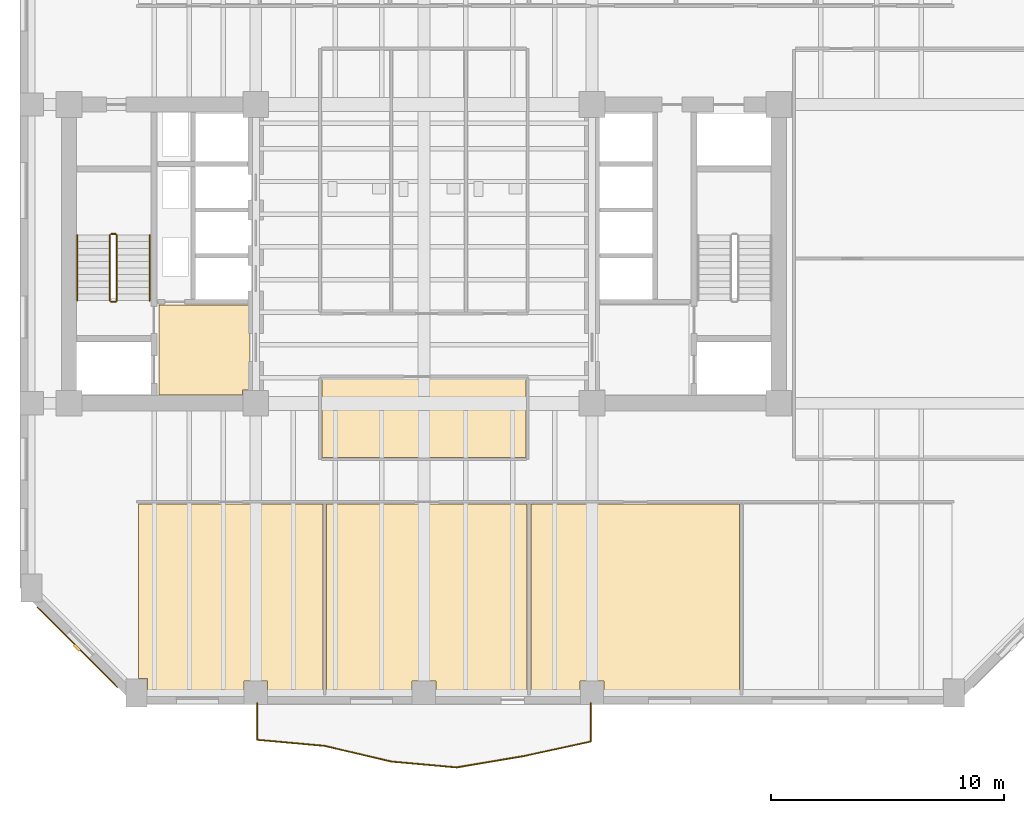
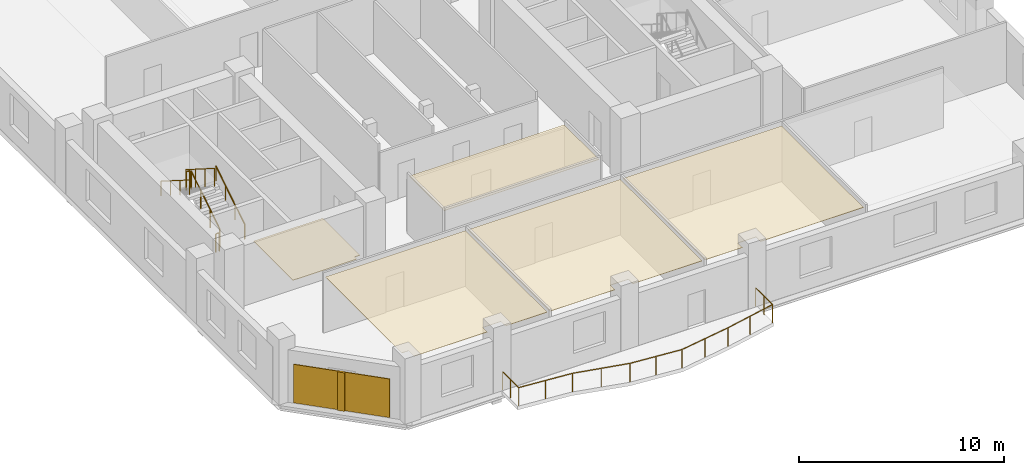
# One storey, part 6 of 9: 7 railings, 6 coverings, 1 shading device.
"""IFC4 building model written with IfcOpenShell, lengths in metres."""

from ifc_helpers import new_model, si_unit, direction, frame, origin, origin_2d, place, context, subcontext, project, spatial, polyline, rectangle, circle, outline, extrude, material, layer, layer_set, type_object, element, save


model = new_model("IFC4")

# Units and contexts
model_context = context("Model", 3, precision=1e-05, world=origin(), true_north=direction((0.0, 1.0)))
body_context = subcontext(model_context, "Body", "Model", "MODEL_VIEW")
ifc_project = project(units=[si_unit("LENGTHUNIT", "METRE"), si_unit("AREAUNIT", "SQUARE_METRE"), si_unit("VOLUMEUNIT", "CUBIC_METRE"), si_unit("PLANEANGLEUNIT", "RADIAN"), si_unit("MASSUNIT", "GRAM", prefix="KILO")], contexts=[model_context])

# Site, building, storey
site_placement = place(None, origin())
site = spatial("IfcSite", under=ifc_project, at=site_placement, CompositionType="ELEMENT")
building_placement = place(site_placement, origin())
building = spatial("IfcBuilding", under=site, at=building_placement, Name="Kranthara Brick Stack", CompositionType="ELEMENT")
storey_placement = place(building_placement, frame((0.0, 0.0, 86.699951171875)))
storey = spatial("IfcBuildingStorey", under=building, at=storey_placement, Name="L21", CompositionType="ELEMENT", Elevation=86.699951171875)

# Coverings
ifc_material_1 = material(Name="Perforated mineral-fibre acoustic ceiling tile", Category="other")
ifc_layer_1 = layer(ifc_material_1, 0.02490234375)
ifc_layer_set_1 = layer_set([ifc_layer_1], Name="Perforated mineral-fibre acoustic ceiling tile")
covering_type_1 = type_object("IfcCoveringType", Name="COV-CEIL-ACOUSTIC", PredefinedType="CEILING", material=ifc_layer_set_1)
covering_1_placement = place(storey_placement, frame((0.0, 0.0, 3.330078125)))
element("IfcCovering", 1, at=covering_1_placement, inside=storey, type_object=covering_type_1, Name="L21 L21 Central Executive Briefing Room Acoustic Ceiling", PredefinedType="CEILING", context=body_context, shape_type="SweptSolid", body=[
    extrude(outline(polyline([(32.3701171875, 18.47998046875), (32.3701171875, 21.8798828125), (23.6298828125, 21.8798828125), (23.6298828125, 18.47998046875), (32.3701171875, 18.47998046875)])), origin(), (0.0, 0.0, 1.0), 0.02490234375),
])
covering_2_placement = place(storey_placement, frame((0.0, 0.0, 3.330078125)))
element("IfcCovering", 2, at=covering_2_placement, inside=storey, type_object=covering_type_1, Name="L21 L21 Meeting Room 1 Acoustic Ceiling", PredefinedType="CEILING", context=body_context, shape_type="SweptSolid", body=[
    extrude(outline(polyline([(23.669921875, 16.47998046875), (23.669921875, 8.469970703125), (21.31005859375, 8.469970703125), (21.31005859375, 8.909912109375), (20.2900390625, 8.909912109375), (20.2900390625, 8.469970703125), (16.159912109375, 8.469970703125), (16.159912109375, 9.010009765625), (15.780029296875, 9.010009765625), (15.780029296875, 16.47998046875), (23.669921875, 16.47998046875)])), origin(), (0.0, 0.0, 1.0), 0.02490234375),
])
covering_3_placement = place(storey_placement, frame((0.0, 0.0, 3.330078125)))
element("IfcCovering", 3, at=covering_3_placement, inside=storey, type_object=covering_type_1, Name="L21 L21 Meeting Room 2 Acoustic Ceiling", PredefinedType="CEILING", context=body_context, shape_type="SweptSolid", body=[
    extrude(outline(polyline([(23.830078125, 8.469970703125), (23.830078125, 16.47998046875), (32.419921875, 16.47998046875), (32.419921875, 8.469970703125), (28.510009765625, 8.469970703125), (28.510009765625, 8.909912109375), (27.489990234375, 8.909912109375), (27.489990234375, 8.469970703125), (23.830078125, 8.469970703125)])), origin(), (0.0, 0.0, 1.0), 0.02490234375),
])
covering_4_placement = place(storey_placement, frame((0.0, 0.0, 3.330078125)))
element("IfcCovering", 4, at=covering_4_placement, inside=storey, type_object=covering_type_1, Name="L21 L21 Boardroom 3 Acoustic Ceiling", PredefinedType="CEILING", context=body_context, shape_type="SweptSolid", body=[
    extrude(outline(polyline([(32.580078125, 8.469970703125), (32.580078125, 16.47998046875), (41.52001953125, 16.47998046875), (41.52001953125, 8.469970703125), (35.7099609375, 8.469970703125), (35.7099609375, 8.909912109375), (34.68994140625, 8.909912109375), (34.68994140625, 8.469970703125), (32.580078125, 8.469970703125)])), origin(), (0.0, 0.0, 1.0), 0.02490234375),
])
ifc_material_2 = material(Name="Warm buff kiln-fired brick slip rainscreen", Category="masonry")
ifc_layer_2 = layer(ifc_material_2, 0.044921875)
ifc_layer_set_2 = layer_set([ifc_layer_2], Name="Warm buff kiln-fired brick slip rainscreen")
covering_type_2 = type_object("IfcCoveringType", Name="COV-CLAD-BRICK", PredefinedType="CLADDING", material=ifc_layer_set_2)
covering_5_placement = place(storey_placement, frame((13.156494140625, 10.3564453125, 0.0498046875), z_axis=(0.0, 0.0, 1.0), x_axis=(-0.707106781187, 0.707106781187, 0.0)))
element("IfcCovering", 5, at=covering_5_placement, inside=storey, type_object=covering_type_2, Name="L21 Chamfer Brick Rainscreen Cladding SW", PredefinedType="CLADDING", context=body_context, shape_type="SweptSolid", body=[
    extrude(rectangle(XDim=4.876953125, YDim=0.044921875, at=origin_2d()), origin(), (0.0, 0.0, 1.0), 2.300048828125),
])
ifc_material_3 = material(Name="Honed terrazzo and porcelain floor finish", Category="stone")
ifc_layer_3 = layer(ifc_material_3, 0.030029296875)
ifc_layer_set_3 = layer_set([ifc_layer_3], Name="Honed terrazzo and porcelain floor finish")
covering_type_3 = type_object("IfcCoveringType", Name="COV-FLOR-STONE", PredefinedType="FLOORING", material=ifc_layer_set_3)
covering_6_placement = place(storey_placement, origin())
element("IfcCovering", 6, at=covering_6_placement, inside=storey, type_object=covering_type_3, Name="L21 Lift Lobby Stone Flooring", PredefinedType="FLOORING", context=body_context, shape_type="SweptSolid", body=[
    extrude(outline(polyline([(16.64990234375, 21.14990234375), (16.64990234375, 25.0), (20.550048828125, 25.0), (20.550048828125, 21.360107421875), (20.239990234375, 21.360107421875), (20.239990234375, 21.14990234375), (16.64990234375, 21.14990234375)])), origin(), (0.0, 0.0, 1.0), 0.030029296875),
])

# Railings
ifc_material_4 = material(Name="Bronze anodised aluminium and laminated glass balustrade", Category="aluminium")
railing_type_1 = type_object("IfcRailingType", Name="RL-BALC-1120", PredefinedType="BALUSTRADE", material=ifc_material_4)
railing_1_placement = place(storey_placement, frame((35.139892578125, 7.9599609375, 0.0)))
element("IfcRailing", 7, at=railing_1_placement, inside=storey, type_object=railing_type_1, Name="L21 South Rippling Balcony Balustrade", PredefinedType="BALUSTRADE", context=body_context, shape_type="SweptSolid", body=[
    extrude(circle(Radius=0.02392578125, at=origin_2d()), frame((0.0, 0.0, 1.09619140625), z_axis=(0.0, -1.0, 0.0), x_axis=(1.0, 0.0, 0.0)), (0.0, 0.0, 1.0), 1.648681640625),
    extrude(circle(Radius=0.02392578125, at=origin_2d()), frame((0.0, -1.648681640625, 1.09619140625), z_axis=(-0.977136712985, -0.212611956713, 0.0), x_axis=(0.212611956713, -0.977136712985, 0.0)), (0.0, 0.0, 1.0), 2.946533203125),
    extrude(circle(Radius=0.02392578125, at=origin_2d()), frame((-2.879150390625, -2.275146484375, 1.09619140625), z_axis=(-0.986191170344, -0.165610916113, 0.0), x_axis=(0.165610916113, -0.986191170344, 0.0)), (0.0, 0.0, 1.0), 2.906982421875),
    extrude(circle(Radius=0.02392578125, at=origin_2d()), frame((-5.74609375, -2.756591796875, 1.09619140625), z_axis=(-0.995951712076, 0.089889861567, 0.0), x_axis=(-0.089889861567, -0.995951712076, 0.0)), (0.0, 0.0, 1.0), 2.794677734375),
    extrude(circle(Radius=0.02392578125, at=origin_2d()), frame((-8.529541015625, -2.50537109375, 1.09619140625), z_axis=(-0.973718277078, 0.227755827334, 0.0), x_axis=(-0.227755827334, -0.973718277078, 0.0)), (0.0, 0.0, 1.0), 2.94775390625),
    extrude(circle(Radius=0.02392578125, at=origin_2d()), frame((-11.39990234375, -1.833984375, 1.09619140625), z_axis=(-0.995949072275, 0.089919104949, 0.0), x_axis=(-0.089919104949, -0.995949072275, 0.0)), (0.0, 0.0, 1.0), 2.8916015625),
    extrude(circle(Radius=0.02392578125, at=origin_2d()), frame((-14.27978515625, -1.573974609375, 1.09619140625), z_axis=(0.0, 1.0, 0.0), x_axis=(-1.0, 0.0, 0.0)), (0.0, 0.0, 1.0), 1.573974609375),
    extrude(circle(Radius=0.02099609375, at=origin_2d()), origin(), (0.0, 0.0, 1.0), 1.072021484375),
    extrude(circle(Radius=0.02099609375, at=origin_2d()), frame((0.0, -0.82421875, 0.0)), (0.0, 0.0, 1.0), 1.072021484375),
    extrude(circle(Radius=0.02099609375, at=origin_2d()), frame((0.0, -1.648681640625, 0.0)), (0.0, 0.0, 1.0), 1.072021484375),
    extrude(circle(Radius=0.02099609375, at=origin_2d()), frame((-1.439453125, -1.9619140625, 0.0)), (0.0, 0.0, 1.0), 1.072021484375),
    extrude(circle(Radius=0.02099609375, at=origin_2d()), frame((-2.879150390625, -2.275146484375, 0.0)), (0.0, 0.0, 1.0), 1.072021484375),
    extrude(circle(Radius=0.02099609375, at=origin_2d()), frame((-4.3125, -2.515869140625, 0.0)), (0.0, 0.0, 1.0), 1.072021484375),
    extrude(circle(Radius=0.02099609375, at=origin_2d()), frame((-5.74609375, -2.756591796875, 0.0)), (0.0, 0.0, 1.0), 1.072021484375),
    extrude(circle(Radius=0.02099609375, at=origin_2d()), frame((-7.1376953125, -2.630859375, 0.0)), (0.0, 0.0, 1.0), 1.072021484375),
    extrude(circle(Radius=0.02099609375, at=origin_2d()), frame((-8.529541015625, -2.50537109375, 0.0)), (0.0, 0.0, 1.0), 1.072021484375),
    extrude(circle(Radius=0.02099609375, at=origin_2d()), frame((-9.96484375, -2.169677734375, 0.0)), (0.0, 0.0, 1.0), 1.072021484375),
    extrude(circle(Radius=0.02099609375, at=origin_2d()), frame((-11.39990234375, -1.833984375, 0.0)), (0.0, 0.0, 1.0), 1.072021484375),
    extrude(circle(Radius=0.02099609375, at=origin_2d()), frame((-12.83984375, -1.7041015625, 0.0)), (0.0, 0.0, 1.0), 1.072021484375),
    extrude(circle(Radius=0.02099609375, at=origin_2d()), frame((-14.27978515625, -1.573974609375, 0.0)), (0.0, 0.0, 1.0), 1.072021484375),
    extrude(circle(Radius=0.02099609375, at=origin_2d()), frame((-14.27978515625, -0.787109375, 0.0)), (0.0, 0.0, 1.0), 1.072021484375),
    extrude(circle(Radius=0.02099609375, at=origin_2d()), frame((-14.27978515625, 0.0, 0.0)), (0.0, 0.0, 1.0), 1.072021484375),
])
ifc_material_5 = material(Name="Painted galvanized steel stair guardrail", Category="steel")
railing_type_2 = type_object("IfcRailingType", Name="RL-STAIR-GUARD-1100", PredefinedType="GUARDRAIL", material=ifc_material_5)
railing_2_placement = place(storey_placement, frame((14.85009765625, 25.199951171875, 0.17724609375)))
element("IfcRailing", 8, at=railing_2_placement, inside=storey, type_object=railing_type_2, Name="L21 ST01 stair guard 1", PredefinedType="GUARDRAIL", context=body_context, shape_type="SweptSolid", body=[
    extrude(circle(Radius=0.02392578125, at=origin_2d()), frame((0.0, 0.0, 1.076171875), z_axis=(0.0, 0.844908973607, 0.534910110503), x_axis=(-1.0, 0.0, 0.0)), (0.0, 0.0, 1.0), 3.31396484375),
    extrude(circle(Radius=0.02099609375, at=origin_2d()), origin(), (0.0, 0.0, 1.0), 1.052001953125),
    extrude(circle(Radius=0.02099609375, at=origin_2d()), frame((0.0, 0.933349609375, 0.5908203125)), (0.0, 0.0, 1.0), 1.052001953125),
    extrude(circle(Radius=0.02099609375, at=origin_2d()), frame((0.0, 1.86669921875, 1.181884765625)), (0.0, 0.0, 1.0), 1.052001953125),
    extrude(circle(Radius=0.02099609375, at=origin_2d()), frame((0.0, 2.800048828125, 1.772705078125)), (0.0, 0.0, 1.0), 1.052001953125),
])
railing_3_placement = place(storey_placement, frame((14.800048828125, 28.050048828125, 1.949951171875)))
element("IfcRailing", 9, at=railing_3_placement, inside=storey, type_object=railing_type_2, Name="L21 ST01 stair guard 2", PredefinedType="GUARDRAIL", context=body_context, shape_type="SweptSolid", body=[
    extrude(circle(Radius=0.02392578125, at=origin_2d()), frame((0.0, 0.0, 1.076171875), z_axis=(-1.0, 0.0, 0.0), x_axis=(0.0, -1.0, 0.0)), (0.0, 0.0, 1.0), 0.199951171875),
    extrude(circle(Radius=0.02099609375, at=origin_2d()), origin(), (0.0, 0.0, 1.0), 1.052001953125),
    extrude(circle(Radius=0.02099609375, at=origin_2d()), frame((-0.199951171875, 0.0, 0.0)), (0.0, 0.0, 1.0), 1.052001953125),
])
railing_4_placement = place(storey_placement, frame((14.550048828125, 28.0, 2.12744140625)))
element("IfcRailing", 10, at=railing_4_placement, inside=storey, type_object=railing_type_2, Name="L21 ST01 stair guard 3", PredefinedType="GUARDRAIL", context=body_context, shape_type="SweptSolid", body=[
    extrude(circle(Radius=0.02392578125, at=origin_2d()), frame((0.0, 0.0, 1.076171875), z_axis=(0.0, -0.844908973607, 0.534910110503), x_axis=(1.0, 0.0, 0.0)), (0.0, 0.0, 1.0), 3.31396484375),
    extrude(circle(Radius=0.02099609375, at=origin_2d()), origin(), (0.0, 0.0, 1.0), 1.052001953125),
    extrude(circle(Radius=0.02099609375, at=origin_2d()), frame((0.0, -0.933349609375, 0.5908203125)), (0.0, 0.0, 1.0), 1.052001953125),
    extrude(circle(Radius=0.02099609375, at=origin_2d()), frame((0.0, -1.86669921875, 1.181884765625)), (0.0, 0.0, 1.0), 1.052001953125),
    extrude(circle(Radius=0.02099609375, at=origin_2d()), frame((0.0, -2.800048828125, 1.772705078125)), (0.0, 0.0, 1.0), 1.052001953125),
])
railing_5_placement = place(storey_placement, frame((14.800048828125, 25.14990234375, 0.0)))
element("IfcRailing", 11, at=railing_5_placement, inside=storey, type_object=railing_type_2, Name="L21 ST01 stair guard 4", PredefinedType="GUARDRAIL", context=body_context, shape_type="SweptSolid", body=[
    extrude(circle(Radius=0.02392578125, at=origin_2d()), frame((0.0, 0.0, 1.076171875), z_axis=(-1.0, 0.0, 0.0), x_axis=(0.0, -1.0, 0.0)), (0.0, 0.0, 1.0), 0.199951171875),
    extrude(circle(Radius=0.02099609375, at=origin_2d()), origin(), (0.0, 0.0, 1.0), 1.052001953125),
    extrude(circle(Radius=0.02099609375, at=origin_2d()), frame((-0.199951171875, 0.0, 0.0)), (0.0, 0.0, 1.0), 1.052001953125),
])
ifc_material_6 = material(Name="Brushed stainless steel tubular handrail", Category="steel")
railing_type_3 = type_object("IfcRailingType", Name="RL-STAIR-HAND-900", PredefinedType="HANDRAIL", material=ifc_material_6)
railing_6_placement = place(storey_placement, frame((16.25, 25.199951171875, 0.17724609375)))
element("IfcRailing", 12, at=railing_6_placement, inside=storey, type_object=railing_type_3, Name="L21 ST01 stair handrail 1", PredefinedType="HANDRAIL", context=body_context, shape_type="SweptSolid", body=[
    extrude(circle(Radius=0.02392578125, at=origin_2d()), frame((0.0, 0.0, 0.8759765625), z_axis=(0.0, 0.844908973607, 0.534910110503), x_axis=(-1.0, 0.0, 0.0)), (0.0, 0.0, 1.0), 3.31396484375),
    extrude(circle(Radius=0.02099609375, at=origin_2d()), origin(), (0.0, 0.0, 1.0), 0.851806640625),
    extrude(circle(Radius=0.02099609375, at=origin_2d()), frame((0.0, 0.933349609375, 0.5908203125)), (0.0, 0.0, 1.0), 0.851806640625),
    extrude(circle(Radius=0.02099609375, at=origin_2d()), frame((0.0, 1.86669921875, 1.181884765625)), (0.0, 0.0, 1.0), 0.851806640625),
    extrude(circle(Radius=0.02099609375, at=origin_2d()), frame((0.0, 2.800048828125, 1.772705078125)), (0.0, 0.0, 1.0), 0.851806640625),
])
railing_7_placement = place(storey_placement, frame((13.14990234375, 28.0, 2.12744140625)))
element("IfcRailing", 13, at=railing_7_placement, inside=storey, type_object=railing_type_3, Name="L21 ST01 stair handrail 2", PredefinedType="HANDRAIL", context=body_context, shape_type="SweptSolid", body=[
    extrude(circle(Radius=0.02392578125, at=origin_2d()), frame((0.0, 0.0, 0.8759765625), z_axis=(0.0, -0.844908973607, 0.534910110503), x_axis=(1.0, 0.0, 0.0)), (0.0, 0.0, 1.0), 3.31396484375),
    extrude(circle(Radius=0.02099609375, at=origin_2d()), origin(), (0.0, 0.0, 1.0), 0.851806640625),
    extrude(circle(Radius=0.02099609375, at=origin_2d()), frame((0.0, -0.933349609375, 0.5908203125)), (0.0, 0.0, 1.0), 0.851806640625),
    extrude(circle(Radius=0.02099609375, at=origin_2d()), frame((0.0, -1.86669921875, 1.181884765625)), (0.0, 0.0, 1.0), 0.851806640625),
    extrude(circle(Radius=0.02099609375, at=origin_2d()), frame((0.0, -2.800048828125, 1.772705078125)), (0.0, 0.0, 1.0), 0.851806640625),
])

# Shading device
ifc_material_7 = material(Name="Kiln-fired terracotta aerodynamic wind fin", Category="masonry")
shading_device_type = type_object("IfcShadingDeviceType", Name="SHD-BAFFLE-CORNER", PredefinedType="SHUTTER", material=ifc_material_7)
shading_device_placement = place(storey_placement, frame((13.13525390625, 10.335205078125, 0.0498046875), z_axis=(0.0, 0.0, 1.0), x_axis=(-0.707106781187, 0.707106781187, 0.0)))
element("IfcShadingDevice", 14, at=shading_device_placement, inside=storey, type_object=shading_device_type, Name="L21 Chamfer Wind-Baffle Fin SW", PredefinedType="SHUTTER", context=body_context, shape_type="SweptSolid", body=[
    extrude(rectangle(XDim=0.35009765625, YDim=0.1201171875, at=origin_2d()), origin(), (0.0, 0.0, 1.0), 2.300048828125),
])

save(model, "model.ifc")
